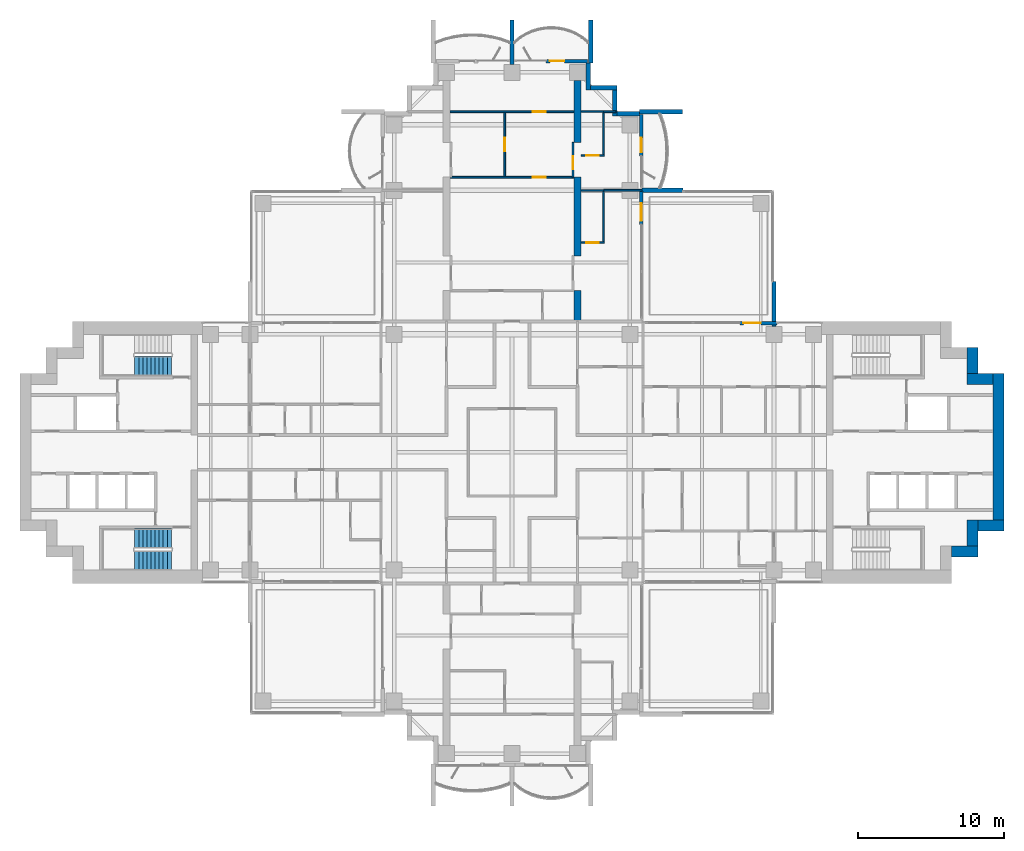
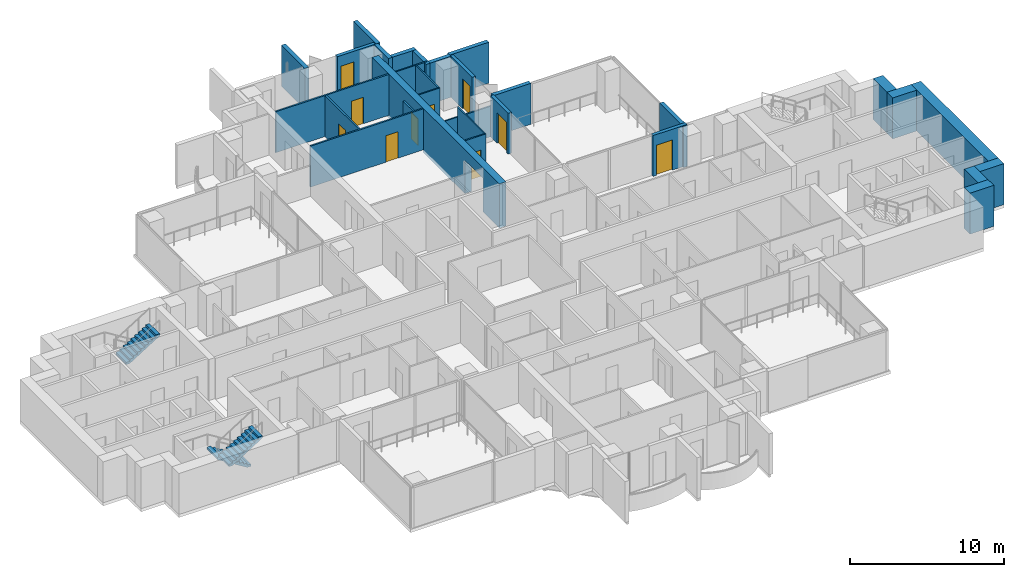
# One storey, part 14 of 19: 32 walls, 10 doors, 3 stair flights, 10 openings, 2 elements without a shape of their own.
"""IFC4 building model written with IfcOpenShell, lengths in metres."""

from ifc_helpers import new_model, si_unit, direction, frame, frame_2d, origin, place, context, subcontext, project, spatial, polyline, rectangle, outline, extrude, material, layer, layer_set, material_profile, profile_set, type_object, element, fill, aggregate, save


model = new_model("IFC4")

# Units and contexts
model_context = context("Model", 3, precision=1e-05, world=origin(), true_north=direction((0.0, 1.0)))
body_context = subcontext(model_context, "Body", "Model", "MODEL_VIEW")
ifc_project = project(units=[si_unit("LENGTHUNIT", "METRE"), si_unit("AREAUNIT", "SQUARE_METRE"), si_unit("VOLUMEUNIT", "CUBIC_METRE"), si_unit("PLANEANGLEUNIT", "RADIAN"), si_unit("MASSUNIT", "GRAM", prefix="KILO")], contexts=[model_context])

# Site, building, storey
site_placement = place(None, origin())
site = spatial("IfcSite", under=ifc_project, at=site_placement, CompositionType="ELEMENT")
building_placement = place(site_placement, origin())
building = spatial("IfcBuilding", under=site, at=building_placement, Name="Perihelion Cross Residences", CompositionType="ELEMENT")
storey_placement = place(building_placement, frame((0.0, 0.0, 112.89990234375)))
storey = spatial("IfcBuildingStorey", under=building, at=storey_placement, Name="L26", CompositionType="ELEMENT", Elevation=112.89990234375)

# Wall, opening, door
ifc_material_1 = material(Name="Concrete C30/37, bronze-clad", Category="concrete")
ifc_layer_1 = layer(ifc_material_1, 0.25)
ifc_layer_set_1 = layer_set([ifc_layer_1], Name="Bronze-clad pier wall 250")
wall_type_1 = type_object("IfcWallType", Name="Bronze-clad pier wall 250", PredefinedType="SOLIDWALL", material=ifc_layer_set_1)
wall_1_placement = place(storey_placement, frame((18.199951171875, 8.875, 0.0), z_axis=(0.0, 0.0, 1.0), x_axis=(-1.0, 0.0, 0.0)))
wall_1 = element("IfcWall", 1, at=wall_1_placement, inside=storey, type_object=wall_type_1, Name="Wall FW1 L26 east side north bay 2 pier", PredefinedType="SOLIDWALL", context=body_context, shape_type="SweptSolid", body=[
    extrude(rectangle(XDim=2.550048828125, YDim=0.25, at=frame_2d((1.27490234375, 0.0))), origin(), (0.0, 0.0, 1.0), 3.25),
])
opening_1_placement = place(wall_1_placement, frame((1.10009765625, 0.0, 0.0)))
opening_1 = element("IfcOpeningElement", 2, at=opening_1_placement, cuts=wall_1, Name="Opening L26.E01", PredefinedType="OPENING", context=body_context, shape_type="SweptSolid", body=[
    extrude(rectangle(XDim=1.199951171875, YDim=2.39990234375, at=frame_2d((0.60009765625, 1.199951171875))), frame((0.0, 0.135009765625, 0.0), z_axis=(0.0, -1.0, 0.0), x_axis=(1.0, 0.0, 0.0)), (0.0, 0.0, 1.0), 0.27001953125),
])
ifc_material_2 = material(Name="Bronze anodised aluminium, glazed", Category="aluminium")
door_type_1 = type_object("IfcDoorType", Name="Balcony door 1200 x 2400", OperationType="NOTDEFINED", PredefinedType="DOOR", material=ifc_material_2)
door_1_placement = place(opening_1_placement, origin())
door_1 = element("IfcDoor", 3, at=door_1_placement, inside=storey, type_object=door_type_1, Name="Door L26.E01 east side north bay 2", OperationType="SINGLE_SWING_RIGHT", OverallHeight=2.39990234375, OverallWidth=1.199951171875, PredefinedType="DOOR", context=body_context, shape_type="SweptSolid", body=[
    extrude(rectangle(XDim=1.199951171875, YDim=2.39990234375, at=frame_2d((0.60009765625, 1.199951171875))), frame((0.0, 0.02490234375, 0.0), z_axis=(0.0, -1.0, 0.0), x_axis=(1.0, 0.0, 0.0)), (0.0, 0.0, 1.0), 0.050048828125),
])
fill(opening_1, door_1)

wall_2_placement = place(storey_placement, frame((8.875, 15.64990234375, 0.0), z_axis=(0.0, 0.0, 1.0), x_axis=(0.0, 1.0, 0.0)))
wall_2 = element("IfcWall", 4, at=wall_2_placement, inside=storey, type_object=wall_type_1, Name="Wall FW1 L26 north side east bay 1 pier", PredefinedType="SOLIDWALL", context=body_context, shape_type="SweptSolid", body=[
    extrude(rectangle(XDim=2.2900390625, YDim=0.25, at=frame_2d((1.14501953125, 0.0))), origin(), (0.0, 0.0, 1.0), 3.25),
])
opening_2_placement = place(wall_2_placement, frame((0.25, 0.0, 0.0)))
opening_2 = element("IfcOpeningElement", 5, at=opening_2_placement, cuts=wall_2, Name="Opening L26.E02", PredefinedType="OPENING", context=body_context, shape_type="SweptSolid", body=[
    extrude(rectangle(XDim=1.199951171875, YDim=2.39990234375, at=frame_2d((0.60009765625, 1.199951171875))), frame((0.0, 0.135009765625, 0.0), z_axis=(0.0, -1.0, 0.0), x_axis=(1.0, 0.0, 0.0)), (0.0, 0.0, 1.0), 0.27001953125),
])
door_2_placement = place(opening_2_placement, origin())
door_2 = element("IfcDoor", 6, at=door_2_placement, inside=storey, type_object=door_type_1, Name="Door L26.E02 north side east bay 1", OperationType="SINGLE_SWING_LEFT", OverallHeight=2.39990234375, OverallWidth=1.199951171875, PredefinedType="DOOR", context=body_context, shape_type="SweptSolid", body=[
    extrude(rectangle(XDim=1.199951171875, YDim=2.39990234375, at=frame_2d((0.60009765625, 1.199951171875))), frame((0.0, 0.02490234375, 0.0), z_axis=(0.0, -1.0, 0.0), x_axis=(1.0, 0.0, 0.0)), (0.0, 0.0, 1.0), 0.050048828125),
])
fill(opening_2, door_2)

wall_3_placement = place(storey_placement, frame((8.875, 20.35009765625, 0.0), z_axis=(0.0, 0.0, 1.0), x_axis=(0.0, 1.0, 0.0)))
wall_3 = element("IfcWall", 7, at=wall_3_placement, inside=storey, type_object=wall_type_1, Name="Wall FW1 L26 north side east bay 2 pier", PredefinedType="SOLIDWALL", context=body_context, shape_type="SweptSolid", body=[
    extrude(rectangle(XDim=2.849853515625, YDim=0.25, at=frame_2d((1.4248046875, 0.0))), origin(), (0.0, 0.0, 1.0), 3.25),
])
opening_3_placement = place(wall_3_placement, frame((0.25, 0.0, 0.0)))
opening_3 = element("IfcOpeningElement", 8, at=opening_3_placement, cuts=wall_3, Name="Opening L26.E03", PredefinedType="OPENING", context=body_context, shape_type="SweptSolid", body=[
    extrude(rectangle(XDim=1.0, YDim=2.39990234375, at=frame_2d((0.5, 1.199951171875))), frame((0.0, 0.135009765625, 0.0), z_axis=(0.0, -1.0, 0.0), x_axis=(1.0, 0.0, 0.0)), (0.0, 0.0, 1.0), 0.27001953125),
])
ifc_material_3 = material(Name="Bronze anodised aluminium, glazed", Category="aluminium")
door_type_2 = type_object("IfcDoorType", Name="Balcony door 1000 x 2400", OperationType="NOTDEFINED", PredefinedType="DOOR", material=ifc_material_3)
door_3_placement = place(opening_3_placement, origin())
door_3 = element("IfcDoor", 9, at=door_3_placement, inside=storey, type_object=door_type_2, Name="Door L26.E03 north side east bay 2", OperationType="SINGLE_SWING_RIGHT", OverallHeight=2.39990234375, OverallWidth=1.0, PredefinedType="DOOR", context=body_context, shape_type="SweptSolid", body=[
    extrude(rectangle(XDim=1.0, YDim=2.39990234375, at=frame_2d((0.5, 1.199951171875))), frame((0.0, 0.02490234375, 0.0), z_axis=(0.0, -1.0, 0.0), x_axis=(1.0, 0.0, 0.0)), (0.0, 0.0, 1.0), 0.050048828125),
])
fill(opening_3, door_3)

wall_4_placement = place(storey_placement, frame((5.199951171875, 26.875, 0.0), z_axis=(0.0, 0.0, 1.0), x_axis=(-1.0, 0.0, 0.0)))
wall_4 = element("IfcWall", 10, at=wall_4_placement, inside=storey, type_object=wall_type_1, Name="Wall FW1 L26 north tip north bay 1 pier", PredefinedType="SOLIDWALL", context=body_context, shape_type="SweptSolid", body=[
    extrude(rectangle(XDim=2.849853515625, YDim=0.25, at=frame_2d((1.4248046875, 0.0))), origin(), (0.0, 0.0, 1.0), 3.25),
])
opening_4_placement = place(wall_4_placement, frame((1.60009765625, 0.0, 0.0)))
opening_4 = element("IfcOpeningElement", 11, at=opening_4_placement, cuts=wall_4, Name="Opening L26.E04", PredefinedType="OPENING", context=body_context, shape_type="SweptSolid", body=[
    extrude(rectangle(XDim=1.0, YDim=2.39990234375, at=frame_2d((0.5, 1.199951171875))), frame((0.0, 0.135009765625, 0.0), z_axis=(0.0, -1.0, 0.0), x_axis=(1.0, 0.0, 0.0)), (0.0, 0.0, 1.0), 0.27001953125),
])
door_4_placement = place(opening_4_placement, origin())
door_4 = element("IfcDoor", 12, at=door_4_placement, inside=storey, type_object=door_type_2, Name="Door L26.E04 north tip north bay 1", OperationType="SINGLE_SWING_LEFT", OverallHeight=2.39990234375, OverallWidth=1.0, PredefinedType="DOOR", context=body_context, shape_type="SweptSolid", body=[
    extrude(rectangle(XDim=1.0, YDim=2.39990234375, at=frame_2d((0.5, 1.199951171875))), frame((0.0, 0.02490234375, 0.0), z_axis=(0.0, -1.0, 0.0), x_axis=(1.0, 0.0, 0.0)), (0.0, 0.0, 1.0), 0.050048828125),
])
fill(opening_4, door_4)

# Walls
ifc_material_4 = material(Name="Concrete C30/37, bronze-clad", Category="concrete")
ifc_layer_2 = layer(ifc_material_4, 0.300048828125)
ifc_layer_set_2 = layer_set([ifc_layer_2], Name="Bronze-clad serration wall 300")
wall_type_2 = type_object("IfcWallType", Name="Bronze-clad serration wall 300", PredefinedType="SOLIDWALL", material=ifc_layer_set_2)
wall_5_placement = place(storey_placement, frame((8.75, 23.25, 0.0), z_axis=(0.0, 0.0, 1.0), x_axis=(-1.0, 0.0, 0.0)))
element("IfcWall", 13, at=wall_5_placement, inside=storey, type_object=wall_type_2, Name="Wall SR1 L26 north corner north-east 1", PredefinedType="SOLIDWALL", context=body_context, shape_type="SweptSolid", body=[
    extrude(rectangle(XDim=1.550048828125, YDim=0.300048828125, at=frame_2d((0.77490234375, 0.0))), origin(), (0.0, 0.0, 1.0), 3.25),
])
wall_6_placement = place(storey_placement, frame((7.050048828125, 23.10009765625, 0.0), z_axis=(0.0, 0.0, 1.0), x_axis=(0.0, 1.0, 0.0)))
element("IfcWall", 14, at=wall_6_placement, inside=storey, type_object=wall_type_2, Name="Wall SR1 L26 north corner north-east 2", PredefinedType="SOLIDWALL", context=body_context, shape_type="SweptSolid", body=[
    extrude(rectangle(XDim=1.7998046875, YDim=0.300048828125, at=frame_2d((0.89990234375, 0.0))), origin(), (0.0, 0.0, 1.0), 3.25),
])
wall_7_placement = place(storey_placement, frame((7.199951171875, 25.050048828125, 0.0), z_axis=(0.0, 0.0, 1.0), x_axis=(-1.0, 0.0, 0.0)))
element("IfcWall", 15, at=wall_7_placement, inside=storey, type_object=wall_type_2, Name="Wall SR1 L26 north corner north-east 3", PredefinedType="SOLIDWALL", context=body_context, shape_type="SweptSolid", body=[
    extrude(rectangle(XDim=1.800048828125, YDim=0.300048828125, at=frame_2d((0.89990234375, 0.0))), origin(), (0.0, 0.0, 1.0), 3.25),
])
wall_8_placement = place(storey_placement, frame((5.25, 24.89990234375, 0.0), z_axis=(0.0, 0.0, 1.0), x_axis=(0.0, 1.0, 0.0)))
element("IfcWall", 16, at=wall_8_placement, inside=storey, type_object=wall_type_2, Name="Wall SR1 L26 north corner north-east 4", PredefinedType="SOLIDWALL", context=body_context, shape_type="SweptSolid", body=[
    extrude(rectangle(XDim=1.85009765625, YDim=0.300048828125, at=frame_2d((0.925048828125, 0.0))), origin(), (0.0, 0.0, 1.0), 3.25),
])
ifc_material_5 = material(Name="Concrete C60/75", Category="concrete")
ifc_layer_3 = layer(ifc_material_5, 0.75)
ifc_layer_set_3 = layer_set([ifc_layer_3], Name="Core wall, outer 750")
wall_type_3 = type_object("IfcWallType", Name="Core wall, outer 750", PredefinedType="SHEAR", material=ifc_layer_set_3)
for number, where, z_axis, x_axis, name in (
    (17, (30.199951171875, -6.824951171875, 0.0), (0.0, 0.0, 1.0), (1.0, 0.0, 0.0), "East core core wall, outer"),
    (18, (31.625, -6.449951171875, 0.0), (0.0, 0.0, 1.0), (0.0, 1.0, 0.0), "East core core wall, outer"),
    (19, (32.0, -5.02490234375, 0.0), (0.0, 0.0, 1.0), (1.0, 0.0, 0.0), "East core core wall, outer"),
):
    element("IfcWall", number, at=place(storey_placement, frame(where, z_axis=z_axis, x_axis=x_axis)), inside=storey, type_object=wall_type_3, Name=name, PredefinedType="SHEAR", context=body_context, shape_type="SweptSolid", body=[
        extrude(rectangle(XDim=1.800048828125, YDim=0.75, at=frame_2d((0.89990234375, 0.0))), origin(), (0.0, 0.0, 1.0), 3.25),
    ])
wall_9_placement = place(storey_placement, frame((33.425048828125, -4.64990234375, 0.0), z_axis=(0.0, 0.0, 1.0), x_axis=(0.0, 1.0, 0.0)))
element("IfcWall", 20, at=wall_9_placement, inside=storey, type_object=wall_type_3, Name="East core core wall, outer", PredefinedType="SHEAR", context=body_context, shape_type="SweptSolid", body=[
    extrude(rectangle(XDim=10.0498046875, YDim=0.75, at=frame_2d((5.02490234375, 0.0))), origin(), (0.0, 0.0, 1.0), 3.25),
])
for number, where, z_axis, x_axis, name in (
    (21, (31.25, 5.02490234375, 0.0), (0.0, 0.0, 1.0), (1.0, 0.0, 0.0), "East core core wall, outer"),
    (22, (31.625, 5.39990234375, 0.0), (0.0, 0.0, 1.0), (0.0, 1.0, 0.0), "East core core wall, outer"),
):
    element("IfcWall", number, at=place(storey_placement, frame(where, z_axis=z_axis, x_axis=x_axis)), inside=storey, type_object=wall_type_3, Name=name, PredefinedType="SHEAR", context=body_context, shape_type="SweptSolid", body=[
        extrude(rectangle(XDim=1.800048828125, YDim=0.75, at=frame_2d((0.89990234375, 0.0))), origin(), (0.0, 0.0, 1.0), 3.25),
    ])

# Wall, opening, door
ifc_material_6 = material(Name="Plasterboard partition")
ifc_layer_4 = layer(ifc_material_6, 0.1201171875)
ifc_layer_set_4 = layer_set([ifc_layer_4], Name="Infill panel 120")
wall_type_4 = type_object("IfcWallType", Name="Infill panel 120", PredefinedType="PARTITIONING", material=ifc_layer_set_4)
wall_10_placement = place(storey_placement, frame((4.18994140625, 18.89990234375, 0.0), z_axis=(0.0, 0.0, 1.0), x_axis=(0.0, 1.0, 0.0)))
wall_10 = element("IfcWall", 23, at=wall_10_placement, inside=storey, type_object=wall_type_4, Name="Partition L26 WI02", PredefinedType="PARTITIONING", context=body_context, shape_type="SweptSolid", body=[
    extrude(rectangle(XDim=2.400146484375, YDim=0.1201171875, at=frame_2d((1.2001953125, 0.0))), origin(), (0.0, 0.0, 1.0), 2.400146484375),
])
opening_5_placement = place(wall_10_placement, frame((0.550048828125, 0.0, 0.0)))
opening_5 = element("IfcOpeningElement", 24, at=opening_5_placement, cuts=wall_10, Name="Opening L26.A54", PredefinedType="OPENING", context=body_context, shape_type="SweptSolid", body=[
    extrude(rectangle(XDim=0.89990234375, YDim=2.10009765625, at=frame_2d((0.449951171875, 1.050048828125))), frame((0.0, 0.070068359375, 0.0), z_axis=(0.0, -1.0, 0.0), x_axis=(1.0, 0.0, 0.0)), (0.0, 0.0, 1.0), 0.14013671875),
])
ifc_material_7 = material(Name="Timber door leaf", Category="wood")
door_type_3 = type_object("IfcDoorType", Name="Interior room door 900 x 2100", OperationType="SINGLE_SWING_LEFT", PredefinedType="DOOR", material=ifc_material_7)
door_5_placement = place(opening_5_placement, origin())
door_5 = element("IfcDoor", 25, at=door_5_placement, inside=storey, type_object=door_type_3, Name="Door L26.A54", OperationType="SINGLE_SWING_RIGHT", OverallHeight=2.10009765625, OverallWidth=0.89990234375, PredefinedType="DOOR", context=body_context, shape_type="SweptSolid", body=[
    extrude(rectangle(XDim=0.89990234375, YDim=2.10009765625, at=frame_2d((0.449951171875, 1.050048828125))), frame((0.0, 0.02490234375, 0.0), z_axis=(0.0, -1.0, 0.0), x_axis=(1.0, 0.0, 0.0)), (0.0, 0.0, 1.0), 0.050048828125),
])
fill(opening_5, door_5)

ifc_material_8 = material(Name="Plasterboard partition")
ifc_layer_5 = layer(ifc_material_8, 0.1201171875)
ifc_layer_set_5 = layer_set([ifc_layer_5], Name="Partition wall 120")
wall_type_5 = type_object("IfcWallType", Name="Partition wall 120", PredefinedType="PARTITIONING", material=ifc_layer_set_5)
wall_11_placement = place(storey_placement, frame((-4.25, 18.89990234375, 0.0), z_axis=(0.0, 0.0, 1.0), x_axis=(1.0, 0.0, 0.0)))
wall_11 = element("IfcWall", 26, at=wall_11_placement, inside=storey, type_object=wall_type_5, Name="Partition L26 W069", PredefinedType="PARTITIONING", context=body_context, shape_type="SweptSolid", body=[
    extrude(rectangle(XDim=8.5, YDim=0.1201171875, at=frame_2d((4.25, 0.0))), origin(), (0.0, 0.0, 1.0), 3.25),
])
opening_6_placement = place(wall_11_placement, frame((5.675048828125, 0.0, 0.0)))
opening_6 = element("IfcOpeningElement", 27, at=opening_6_placement, cuts=wall_11, Name="Opening L26.A38", PredefinedType="OPENING", context=body_context, shape_type="SweptSolid", body=[
    extrude(rectangle(XDim=0.89990234375, YDim=2.10009765625, at=frame_2d((0.449951171875, 1.050048828125))), frame((0.0, 0.070068359375, 0.0), z_axis=(0.0, -1.0, 0.0), x_axis=(1.0, 0.0, 0.0)), (0.0, 0.0, 1.0), 0.14013671875),
])
door_6_placement = place(opening_6_placement, origin())
door_6 = element("IfcDoor", 28, at=door_6_placement, inside=storey, type_object=door_type_3, Name="Door L26.A38", OperationType="SINGLE_SWING_LEFT", OverallHeight=2.10009765625, OverallWidth=0.89990234375, PredefinedType="DOOR", context=body_context, shape_type="SweptSolid", body=[
    extrude(rectangle(XDim=0.89990234375, YDim=2.10009765625, at=frame_2d((0.449951171875, 1.050048828125))), frame((0.0, 0.02490234375, 0.0), z_axis=(0.0, -1.0, 0.0), x_axis=(1.0, 0.0, 0.0)), (0.0, 0.0, 1.0), 0.050048828125),
])
fill(opening_6, door_6)

wall_12_placement = place(storey_placement, frame((-0.5, 18.9599609375, 0.0), z_axis=(0.0, 0.0, 1.0), x_axis=(0.0, 1.0, 0.0)))
wall_12 = element("IfcWall", 29, at=wall_12_placement, inside=storey, type_object=wall_type_5, Name="Partition L26 W070", PredefinedType="PARTITIONING", context=body_context, shape_type="SweptSolid", body=[
    extrude(rectangle(XDim=4.380126953125, YDim=0.1201171875, at=frame_2d((2.18994140625, 0.0))), origin(), (0.0, 0.0, 1.0), 3.25),
])
opening_7_placement = place(wall_12_placement, frame((1.739990234375, 0.0, 0.0)))
opening_7 = element("IfcOpeningElement", 30, at=opening_7_placement, cuts=wall_12, Name="Opening L26.A39", PredefinedType="OPENING", context=body_context, shape_type="SweptSolid", body=[
    extrude(rectangle(XDim=0.89990234375, YDim=2.10009765625, at=frame_2d((0.449951171875, 1.050048828125))), frame((0.0, 0.070068359375, 0.0), z_axis=(0.0, -1.0, 0.0), x_axis=(1.0, 0.0, 0.0)), (0.0, 0.0, 1.0), 0.14013671875),
])
door_7_placement = place(opening_7_placement, origin())
door_7 = element("IfcDoor", 31, at=door_7_placement, inside=storey, type_object=door_type_3, Name="Door L26.A39", OperationType="SINGLE_SWING_LEFT", OverallHeight=2.10009765625, OverallWidth=0.89990234375, PredefinedType="DOOR", context=body_context, shape_type="SweptSolid", body=[
    extrude(rectangle(XDim=0.89990234375, YDim=2.10009765625, at=frame_2d((0.449951171875, 1.050048828125))), frame((0.0, 0.02490234375, 0.0), z_axis=(0.0, -1.0, 0.0), x_axis=(1.0, 0.0, 0.0)), (0.0, 0.0, 1.0), 0.050048828125),
])
fill(opening_7, door_7)

wall_13_placement = place(storey_placement, frame((-4.25, 23.39990234375, 0.0), z_axis=(0.0, 0.0, 1.0), x_axis=(1.0, 0.0, 0.0)))
wall_13 = element("IfcWall", 32, at=wall_13_placement, inside=storey, type_object=wall_type_5, Name="Partition L26 W071", PredefinedType="PARTITIONING", context=body_context, shape_type="SweptSolid", body=[
    extrude(rectangle(XDim=8.5, YDim=0.1201171875, at=frame_2d((4.25, 0.0))), origin(), (0.0, 0.0, 1.0), 3.25),
])
opening_8_placement = place(wall_13_placement, frame((5.675048828125, 0.0, 0.0)))
opening_8 = element("IfcOpeningElement", 33, at=opening_8_placement, cuts=wall_13, Name="Opening L26.A40", PredefinedType="OPENING", context=body_context, shape_type="SweptSolid", body=[
    extrude(rectangle(XDim=0.89990234375, YDim=2.10009765625, at=frame_2d((0.449951171875, 1.050048828125))), frame((0.0, 0.070068359375, 0.0), z_axis=(0.0, -1.0, 0.0), x_axis=(1.0, 0.0, 0.0)), (0.0, 0.0, 1.0), 0.14013671875),
])
door_8_placement = place(opening_8_placement, origin())
door_8 = element("IfcDoor", 34, at=door_8_placement, inside=storey, type_object=door_type_3, Name="Door L26.A40", OperationType="SINGLE_SWING_RIGHT", OverallHeight=2.10009765625, OverallWidth=0.89990234375, PredefinedType="DOOR", context=body_context, shape_type="SweptSolid", body=[
    extrude(rectangle(XDim=0.89990234375, YDim=2.10009765625, at=frame_2d((0.449951171875, 1.050048828125))), frame((0.0, 0.02490234375, 0.0), z_axis=(0.0, -1.0, 0.0), x_axis=(1.0, 0.0, 0.0)), (0.0, 0.0, 1.0), 0.050048828125),
])
fill(opening_8, door_8)

# Walls
wall_14_placement = place(storey_placement, frame((6.300048828125, 18.0, 0.0), z_axis=(0.0, 0.0, 1.0), x_axis=(1.0, 0.0, 0.0)))
element("IfcWall", 35, at=wall_14_placement, inside=storey, type_object=wall_type_5, Name="Partition L26 W074", PredefinedType="PARTITIONING", context=body_context, shape_type="SweptSolid", body=[
    extrude(rectangle(XDim=2.619873046875, YDim=0.1201171875, at=frame_2d((1.31005859375, 0.0))), origin(), (0.0, 0.0, 1.0), 2.4140625),
])
wall_15_placement = place(storey_placement, frame((6.300048828125, 23.39990234375, 0.0), z_axis=(0.0, 0.0, 1.0), x_axis=(1.0, 0.0, 0.0)))
element("IfcWall", 36, at=wall_15_placement, inside=storey, type_object=wall_type_5, Name="Partition L26 W078", PredefinedType="PARTITIONING", context=body_context, shape_type="SweptSolid", body=[
    extrude(rectangle(XDim=0.820068359375, YDim=0.1201171875, at=frame_2d((0.41015625, 0.0))), origin(), (0.0, 0.0, 1.0), 3.25),
])
ifc_material_9 = material(Name="Precast concrete C50/60", Category="concrete")
ifc_layer_6 = layer(ifc_material_9, 0.300048828125)
ifc_layer_set_6 = layer_set([ifc_layer_6], Name="Precast concrete C50/60 blade wall 300")
wall_type_6 = type_object("IfcWallType", Name="Precast concrete C50/60 blade wall 300", PredefinedType="SOLIDWALL", material=ifc_layer_set_6)
wall_16_placement = place(storey_placement, frame((0.0, 26.64990234375, 0.0), z_axis=(0.0, 0.0, 1.0), x_axis=(0.0, 1.0, 0.0)))
element("IfcWall", 37, at=wall_16_placement, inside=storey, type_object=wall_type_6, Name="Wall BL1 L26 no. 9", PredefinedType="SOLIDWALL", context=body_context, shape_type="SweptSolid", body=[
    extrude(rectangle(XDim=3.050048828125, YDim=0.300048828125, at=frame_2d((1.52490234375, 0.0))), origin(), (0.0, 0.0, 1.0), 3.25),
])
wall_17_placement = place(storey_placement, frame((5.39990234375, 26.75, 0.0), z_axis=(0.0, 0.0, 1.0), x_axis=(0.0, 1.0, 0.0)))
element("IfcWall", 38, at=wall_17_placement, inside=storey, type_object=wall_type_6, Name="Wall BL1 L26 no. 13", PredefinedType="SOLIDWALL", context=body_context, shape_type="SweptSolid", body=[
    extrude(rectangle(XDim=2.949951171875, YDim=0.300048828125, at=frame_2d((1.47509765625, 0.0))), origin(), (0.0, 0.0, 1.0), 3.25),
])
wall_18_placement = place(storey_placement, frame((8.919921875, 18.0, 0.0), z_axis=(0.0, 0.0, 1.0), x_axis=(1.0, 0.0, 0.0)))
element("IfcWall", 39, at=wall_18_placement, inside=storey, type_object=wall_type_6, Name="Wall BL1 L26 no. 15", PredefinedType="SOLIDWALL", context=body_context, shape_type="SweptSolid", body=[
    extrude(rectangle(XDim=2.820068359375, YDim=0.300048828125, at=frame_2d((1.41015625, 0.0))), origin(), (0.0, 0.0, 1.0), 3.25),
])
wall_19_placement = place(storey_placement, frame((8.75, 23.39990234375, 0.0), z_axis=(0.0, 0.0, 1.0), x_axis=(1.0, 0.0, 0.0)))
element("IfcWall", 40, at=wall_19_placement, inside=storey, type_object=wall_type_6, Name="Wall BL1 L26 no. 16", PredefinedType="SOLIDWALL", context=body_context, shape_type="SweptSolid", body=[
    extrude(rectangle(XDim=2.949951171875, YDim=0.300048828125, at=frame_2d((1.47509765625, 0.0))), origin(), (0.0, 0.0, 1.0), 3.25),
])
wall_20_placement = place(storey_placement, frame((18.0, 8.64990234375, 0.0), z_axis=(0.0, 0.0, 1.0), x_axis=(0.0, 1.0, 0.0)))
element("IfcWall", 41, at=wall_20_placement, inside=storey, type_object=wall_type_6, Name="Wall BL1 L26 no. 11", PredefinedType="SOLIDWALL", context=body_context, shape_type="SweptSolid", body=[
    extrude(rectangle(XDim=3.090087890625, YDim=0.300048828125, at=frame_2d((1.544921875, 0.0))), origin(), (0.0, 0.0, 1.0), 3.25),
])
ifc_material_10 = material(Name="Concrete C60/75", Category="concrete")
ifc_material_profile = material_profile(ifc_material_10, outline(polyline([(0.0, 0.0), (2.10009765625, 0.0), (2.10009765625, 2.64990234375), (4.5, 2.64990234375), (4.5, 0.0), (9.89990234375, 0.0), (9.89990234375, 2.64990234375), (12.300048828125, 2.64990234375), (12.300048828125, 0.0), (16.550048828125, 0.0), (16.550048828125, 3.5), (0.0, 3.5), (0.0, 0.0)])), Name="Tip spine wall")
ifc_profile_set = profile_set([ifc_material_profile], Name="Concrete C60/75")
wall_type_7 = type_object("IfcWallType", Name="Tip spine wall 500 with 2 door openings 16550 long 3500 high concrete C60/75", PredefinedType="SHEAR", material=ifc_profile_set)
wall_21_placement = place(storey_placement, frame((4.25, 9.0, -0.25), z_axis=(1.0, 0.0, 0.0), x_axis=(0.0, 1.0, 0.0)))
element("IfcWall", 42, at=wall_21_placement, inside=storey, type_object=wall_type_7, Name="Shear wall SW34 L26 north east", PredefinedType="SHEAR", context=body_context, shape_type="SweptSolid", body=[
    extrude(outline(polyline([(0.0, 0.0), (2.10009765625, 0.0), (2.10009765625, 2.64990234375), (4.5, 2.64990234375), (4.5, 0.0), (9.89990234375, 0.0), (9.89990234375, 2.64990234375), (12.300048828125, 2.64990234375), (12.300048828125, 0.0), (16.550048828125, 0.0), (16.550048828125, 3.5), (0.0, 3.5), (0.0, 0.0)])), origin(), (0.0, 0.0, 1.0), 0.5),
])

# Wall, opening, door
ifc_material_11 = material(Name="Plasterboard partition")
ifc_layer_7 = layer(ifc_material_11, 0.10009765625)
ifc_layer_set_7 = layer_set([ifc_layer_7], Name="Wet room wall 100")
wall_type_8 = type_object("IfcWallType", Name="Wet room wall 100", PredefinedType="PARTITIONING", material=ifc_layer_set_7)
wall_22_placement = place(storey_placement, frame((4.75, 14.39990234375, 0.0), z_axis=(0.0, 0.0, 1.0), x_axis=(1.0, 0.0, 0.0)))
wall_22 = element("IfcWall", 43, at=wall_22_placement, inside=storey, type_object=wall_type_8, Name="Partition L26 W072", PredefinedType="PARTITIONING", context=body_context, shape_type="SweptSolid", body=[
    extrude(rectangle(XDim=1.60009765625, YDim=0.10009765625, at=frame_2d((0.800048828125, 0.0))), origin(), (0.0, 0.0, 1.0), 3.25),
])
opening_9_placement = place(wall_22_placement, frame((0.35009765625, 0.0, 0.0)))
opening_9 = element("IfcOpeningElement", 44, at=opening_9_placement, cuts=wall_22, Name="Opening L26.A41", PredefinedType="OPENING", context=body_context, shape_type="SweptSolid", body=[
    extrude(rectangle(XDim=0.85009765625, YDim=2.10009765625, at=frame_2d((0.425048828125, 1.050048828125))), frame((0.0, 0.06005859375, 0.0), z_axis=(0.0, -1.0, 0.0), x_axis=(1.0, 0.0, 0.0)), (0.0, 0.0, 1.0), 0.1201171875),
])
ifc_material_12 = material(Name="Timber door leaf", Category="wood")
door_type_4 = type_object("IfcDoorType", Name="Interior bathroom door 850 x 2100", OperationType="SINGLE_SWING_LEFT", PredefinedType="DOOR", material=ifc_material_12)
door_9_placement = place(opening_9_placement, origin())
door_9 = element("IfcDoor", 45, at=door_9_placement, inside=storey, type_object=door_type_4, Name="Door L26.A41", OperationType="SINGLE_SWING_LEFT", OverallHeight=2.10009765625, OverallWidth=0.85009765625, PredefinedType="DOOR", context=body_context, shape_type="SweptSolid", body=[
    extrude(rectangle(XDim=0.85009765625, YDim=2.10009765625, at=frame_2d((0.425048828125, 1.050048828125))), frame((0.0, 0.02490234375, 0.0), z_axis=(0.0, -1.0, 0.0), x_axis=(1.0, 0.0, 0.0)), (0.0, 0.0, 1.0), 0.050048828125),
])
fill(opening_9, door_9)

# Walls
wall_23_placement = place(storey_placement, frame((6.300048828125, 14.449951171875, 0.0), z_axis=(0.0, 0.0, 1.0), x_axis=(0.0, 1.0, 0.0)))
element("IfcWall", 46, at=wall_23_placement, inside=storey, type_object=wall_type_8, Name="Partition L26 W073", PredefinedType="PARTITIONING", context=body_context, shape_type="SweptSolid", body=[
    extrude(rectangle(XDim=3.489990234375, YDim=0.10009765625, at=frame_2d((1.7451171875, 0.0))), origin(), (0.0, 0.0, 1.0), 3.25),
])
wall_24_placement = place(storey_placement, frame((4.75, 18.0, 0.0), z_axis=(0.0, 0.0, 1.0), x_axis=(1.0, 0.0, 0.0)))
element("IfcWall", 47, at=wall_24_placement, inside=storey, type_object=wall_type_8, Name="Partition L26 W075", PredefinedType="PARTITIONING", context=body_context, shape_type="SweptSolid", body=[
    extrude(rectangle(XDim=1.550048828125, YDim=0.10009765625, at=frame_2d((0.77490234375, 0.0))), origin(), (0.0, 0.0, 1.0), 2.4140625),
])

# Wall, opening, door
wall_25_placement = place(storey_placement, frame((4.75, 20.39990234375, 0.0), z_axis=(0.0, 0.0, 1.0), x_axis=(1.0, 0.0, 0.0)))
wall_25 = element("IfcWall", 48, at=wall_25_placement, inside=storey, type_object=wall_type_8, Name="Partition L26 W076", PredefinedType="PARTITIONING", context=body_context, shape_type="SweptSolid", body=[
    extrude(rectangle(XDim=1.60009765625, YDim=0.10009765625, at=frame_2d((0.800048828125, 0.0))), origin(), (0.0, 0.0, 1.0), 3.25),
])
opening_10_placement = place(wall_25_placement, frame((0.35009765625, 0.0, 0.0)))
opening_10 = element("IfcOpeningElement", 49, at=opening_10_placement, cuts=wall_25, Name="Opening L26.A42", PredefinedType="OPENING", context=body_context, shape_type="SweptSolid", body=[
    extrude(rectangle(XDim=0.85009765625, YDim=2.10009765625, at=frame_2d((0.425048828125, 1.050048828125))), frame((0.0, 0.06005859375, 0.0), z_axis=(0.0, -1.0, 0.0), x_axis=(1.0, 0.0, 0.0)), (0.0, 0.0, 1.0), 0.1201171875),
])
door_10_placement = place(opening_10_placement, origin())
door_10 = element("IfcDoor", 50, at=door_10_placement, inside=storey, type_object=door_type_4, Name="Door L26.A42", OperationType="SINGLE_SWING_RIGHT", OverallHeight=2.10009765625, OverallWidth=0.85009765625, PredefinedType="DOOR", context=body_context, shape_type="SweptSolid", body=[
    extrude(rectangle(XDim=0.85009765625, YDim=2.10009765625, at=frame_2d((0.425048828125, 1.050048828125))), frame((0.0, 0.02490234375, 0.0), z_axis=(0.0, -1.0, 0.0), x_axis=(1.0, 0.0, 0.0)), (0.0, 0.0, 1.0), 0.050048828125),
])
fill(opening_10, door_10)

# Walls
wall_26_placement = place(storey_placement, frame((6.300048828125, 20.449951171875, 0.0), z_axis=(0.0, 0.0, 1.0), x_axis=(0.0, 1.0, 0.0)))
element("IfcWall", 51, at=wall_26_placement, inside=storey, type_object=wall_type_8, Name="Partition L26 W077", PredefinedType="PARTITIONING", context=body_context, shape_type="SweptSolid", body=[
    extrude(rectangle(XDim=2.89013671875, YDim=0.10009765625, at=frame_2d((1.445068359375, 0.0))), origin(), (0.0, 0.0, 1.0), 3.25),
])
wall_27_placement = place(storey_placement, frame((4.75, 23.39990234375, 0.0), z_axis=(0.0, 0.0, 1.0), x_axis=(1.0, 0.0, 0.0)))
element("IfcWall", 52, at=wall_27_placement, inside=storey, type_object=wall_type_8, Name="Partition L26 W079", PredefinedType="PARTITIONING", context=body_context, shape_type="SweptSolid", body=[
    extrude(rectangle(XDim=1.550048828125, YDim=0.10009765625, at=frame_2d((0.77490234375, 0.0))), origin(), (0.0, 0.0, 1.0), 3.25),
])

# Stair, stair flight
ifc_material_13 = material(Name="Concrete C40/50", Category="concrete")
stair_type = type_object("IfcStairType", Name="Exit stair, half-turn", PredefinedType="HALF_TURN_STAIR", material=ifc_material_13)
stair_1_placement = place(storey_placement, origin())
stair_1 = element("IfcStair", 53, at=stair_1_placement, inside=storey, type_object=stair_type, Name="L26 West core exit stair 1", PredefinedType="HALF_TURN_STAIR")
ifc_material_14 = material(Name="Concrete C40/50", Category="concrete")
stair_flight_type = type_object("IfcStairFlightType", Name="Exit stair flight", PredefinedType="STRAIGHT", material=ifc_material_14)
stair_flight_1_placement = place(storey_placement, frame((-25.919921875, 5.925048828125, 1.75), z_axis=(0.0, 0.0, 1.0), x_axis=(1.0, 0.0, 0.0)))
stair_flight_1 = element("IfcStairFlight", 54, at=stair_flight_1_placement, type_object=stair_flight_type, Name="ST-W1 flight 2", NumberOfRisers=10, NumberOfTreads=9, PredefinedType="STRAIGHT", RiserHeight=0.175, TreadLength=0.28, context=body_context, shape_type="SweptSolid", body=[
    extrude(outline(polyline([(0.0, 0.0), (0.0, 0.175048828125), (0.280029296875, 0.175048828125), (0.280029296875, 0.35009765625), (0.56005859375, 0.35009765625), (0.56005859375, 0.52490234375), (0.840087890625, 0.52490234375), (0.840087890625, 0.699951171875), (1.1201171875, 0.699951171875), (1.1201171875, 0.875), (1.39990234375, 0.875), (1.39990234375, 1.050048828125), (1.679931640625, 1.050048828125), (1.679931640625, 1.22509765625), (1.9599609375, 1.22509765625), (1.9599609375, 1.39990234375), (2.239990234375, 1.39990234375), (2.239990234375, 1.574951171875), (2.52001953125, 1.574951171875), (2.52001953125, 1.75), (2.52001953125, 1.398193359375), (0.28271484375, 0.0), (0.0, 0.0)])), frame((0.0, 0.675048828125, 0.0), z_axis=(0.0, -1.0, 0.0), x_axis=(1.0, 0.0, 0.0)), (0.0, 0.0, 1.0), 1.35009765625),
])
aggregate(stair_1, [stair_flight_1])

# Stair, stair flights
stair_2_placement = place(storey_placement, origin())
stair_2 = element("IfcStair", 55, at=stair_2_placement, inside=storey, type_object=stair_type, Name="L26 West core exit stair 2", PredefinedType="HALF_TURN_STAIR")
stair_flight_2_placement = place(storey_placement, frame((-23.39990234375, -5.925048828125, 0.0), z_axis=(0.0, 0.0, 1.0), x_axis=(-1.0, 0.0, 0.0)))
stair_flight_2 = element("IfcStairFlight", 56, at=stair_flight_2_placement, type_object=stair_flight_type, Name="ST-W2 flight 1", NumberOfRisers=10, NumberOfTreads=9, PredefinedType="STRAIGHT", RiserHeight=0.175, TreadLength=0.28, context=body_context, shape_type="SweptSolid", body=[
    extrude(outline(polyline([(0.0, 0.0), (0.0, 0.175048828125), (0.280029296875, 0.175048828125), (0.280029296875, 0.35009765625), (0.56005859375, 0.35009765625), (0.56005859375, 0.52490234375), (0.840087890625, 0.52490234375), (0.840087890625, 0.699951171875), (1.1201171875, 0.699951171875), (1.1201171875, 0.875), (1.39990234375, 0.875), (1.39990234375, 1.050048828125), (1.679931640625, 1.050048828125), (1.679931640625, 1.22509765625), (1.9599609375, 1.22509765625), (1.9599609375, 1.39990234375), (2.239990234375, 1.39990234375), (2.239990234375, 1.574951171875), (2.52001953125, 1.574951171875), (2.52001953125, 1.75), (2.52001953125, 1.398193359375), (0.28271484375, 0.0), (0.0, 0.0)])), frame((0.0, 0.675048828125, 0.0), z_axis=(0.0, -1.0, 0.0), x_axis=(1.0, 0.0, 0.0)), (0.0, 0.0, 1.0), 1.35009765625),
])
stair_flight_3_placement = place(storey_placement, frame((-25.919921875, -7.425048828125, 1.75), z_axis=(0.0, 0.0, 1.0), x_axis=(1.0, 0.0, 0.0)))
stair_flight_3 = element("IfcStairFlight", 57, at=stair_flight_3_placement, type_object=stair_flight_type, Name="ST-W2 flight 2", NumberOfRisers=10, NumberOfTreads=9, PredefinedType="STRAIGHT", RiserHeight=0.175, TreadLength=0.28, context=body_context, shape_type="SweptSolid", body=[
    extrude(outline(polyline([(0.0, 0.0), (0.0, 0.175048828125), (0.280029296875, 0.175048828125), (0.280029296875, 0.35009765625), (0.56005859375, 0.35009765625), (0.56005859375, 0.52490234375), (0.840087890625, 0.52490234375), (0.840087890625, 0.699951171875), (1.1201171875, 0.699951171875), (1.1201171875, 0.875), (1.39990234375, 0.875), (1.39990234375, 1.050048828125), (1.679931640625, 1.050048828125), (1.679931640625, 1.22509765625), (1.9599609375, 1.22509765625), (1.9599609375, 1.39990234375), (2.239990234375, 1.39990234375), (2.239990234375, 1.574951171875), (2.52001953125, 1.574951171875), (2.52001953125, 1.75), (2.52001953125, 1.398193359375), (0.28271484375, 0.0), (0.0, 0.0)])), frame((0.0, 0.675048828125, 0.0), z_axis=(0.0, -1.0, 0.0), x_axis=(1.0, 0.0, 0.0)), (0.0, 0.0, 1.0), 1.35009765625),
])
aggregate(stair_2, [stair_flight_2, stair_flight_3])

save(model, "model.ifc")
